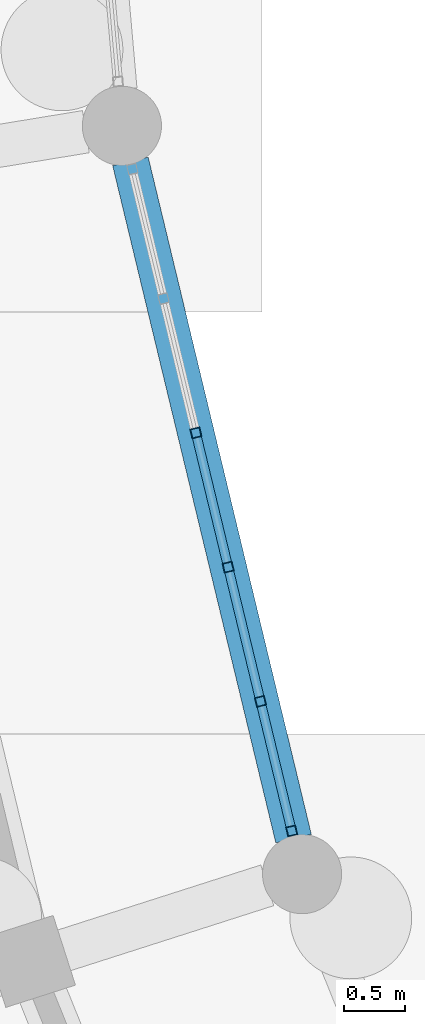
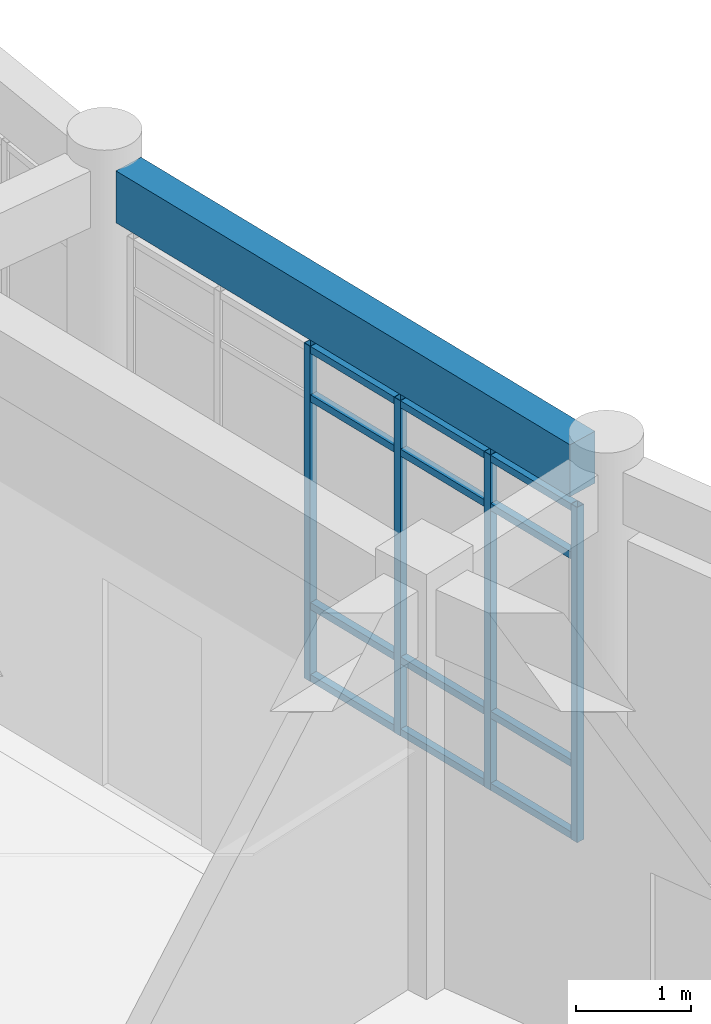
# One storey, part 31 of 153: 16 members, 1 beam, 1 element without a shape of its own.
"""IFC4 building model written with IfcOpenShell, lengths in metres."""

import ifcopenshell
import ifcopenshell.guid

model = None  # the IFC model being written
_history = None  # IfcOwnerHistory: only IFC2X3 demands one
_inside = {}  # id of a spatial element -> (the spatial element, [elements in it])
_under = {}  # id of a project, library or spatial element -> (it, [spatial elements below it])
_declared = {}  # id of a project -> (the project, [libraries it declares])
_typed = {}  # id of a type object -> (the type object, [elements of that type])
_made_of = {}  # id of a material, layer set ... -> (it, [elements and type objects made of it])


def new_model(schema):
    """Start an empty IFC model of exactly this schema.

    Asked for "IFC4X3", IfcOpenShell would pick the latest addendum, in which some entities
    have other attributes; the version numbers below select the first issue.
    IFC2X3 requires an IfcOwnerHistory on every rooted entity: one is made here for all.
    """
    global model, _history
    if schema == "IFC4X3":
        model = ifcopenshell.file(schema_version=(4, 3, 0, 0))
    else:
        model = ifcopenshell.file(schema=schema)
    _inside.clear()
    _under.clear()
    _declared.clear()
    _typed.clear()
    _made_of.clear()
    _history = None
    if model.schema == "IFC2X3":
        org = make("IfcOrganization", Name="unknown")
        user = make(
            "IfcPersonAndOrganization",
            ThePerson=make("IfcPerson", FamilyName="unknown"),
            TheOrganization=org,
        )
        app = make(
            "IfcApplication",
            ApplicationDeveloper=org,
            Version="unknown",
            ApplicationFullName="unknown",
            ApplicationIdentifier="unknown",
        )
        _history = make(
            "IfcOwnerHistory",
            OwningUser=user,
            OwningApplication=app,
            ChangeAction="ADDED",
            CreationDate=0,
        )
    return model


def make(cls, **values):
    """One entity of the class cls with the attributes given. An attribute that is None is left unset."""
    return model.create_entity(
        cls, **{name: value for name, value in values.items() if value is not None}
    )


def rooted(cls, **values):
    """An entity with a GlobalId (a new one), such as an element, a storey or a relation."""
    return make(cls, GlobalId=ifcopenshell.guid.new(), OwnerHistory=_history, **values)


def si_unit(unit_type, name, prefix=None):
    """IfcSIUnit, for example si_unit("LENGTHUNIT", "METRE", prefix="MILLI")."""
    return make("IfcSIUnit", UnitType=unit_type, Prefix=prefix, Name=name)


def assignment(units):
    """IfcUnitAssignment: the units of a project."""
    return None if units is None else make("IfcUnitAssignment", Units=units)


def point(xyz):
    """IfcCartesianPoint."""
    return None if xyz is None else make("IfcCartesianPoint", Coordinates=xyz)


def direction(xyz):
    """IfcDirection."""
    return None if xyz is None else make("IfcDirection", DirectionRatios=xyz)


def frame(location, z_axis=None, x_axis=None):
    """IfcAxis2Placement3D, a coordinate frame: its origin and axes. An axis left out is left unset."""
    return make(
        "IfcAxis2Placement3D",
        Location=point(location),
        Axis=direction(z_axis),
        RefDirection=direction(x_axis),
    )


def frame_2d(location, x_axis=None):
    """IfcAxis2Placement2D, a coordinate frame in the plane: its origin and x axis."""
    return make(
        "IfcAxis2Placement2D", Location=point(location), RefDirection=direction(x_axis)
    )


def origin():
    """The frame at (0, 0, 0) with its axes left unset."""
    return frame((0.0, 0.0, 0.0))


def origin_2d():
    """The frame at (0, 0) in the plane with its x axis left unset."""
    return frame_2d((0.0, 0.0))


def place(relative_to, where):
    """IfcLocalPlacement: puts the frame where relative to a parent placement (None: the world)."""
    return make(
        "IfcLocalPlacement", PlacementRelTo=relative_to, RelativePlacement=where
    )


def context(
    kind, dimensions, precision=None, world=None, true_north=None, identifier=None
):
    """IfcGeometricRepresentationContext, for example the 3D "Model" context."""
    return make(
        "IfcGeometricRepresentationContext",
        ContextIdentifier=identifier,
        ContextType=kind,
        CoordinateSpaceDimension=dimensions,
        Precision=precision,
        WorldCoordinateSystem=world,
        TrueNorth=true_north,
    )


def subcontext(parent, identifier, kind, view, scale=None):
    """IfcGeometricRepresentationSubContext, for example "Body" below "Model"."""
    return make(
        "IfcGeometricRepresentationSubContext",
        ContextIdentifier=identifier,
        ContextType=kind,
        ParentContext=parent,
        TargetScale=scale,
        TargetView=view,
    )


def project(units=None, contexts=None):
    """IfcProject with its units and contexts."""
    return rooted(
        "IfcProject",
        Name="project",
        RepresentationContexts=contexts,
        UnitsInContext=assignment(units),
    )


def spatial(cls, under=None, at=None, **own):
    """A site, building, storey or space (cls), placed at a placement, below another one or the project."""
    s = rooted(cls, ObjectPlacement=at, **own)
    if under is not None:
        _under.setdefault(under.id(), (under, []))[1].append(s)
    return s


def profile(cls, at=None, kind="AREA", **sizes):
    """A parametric profile (cls). Its sizes go by their IFC names, for example OverallWidth=200.0."""
    return make(cls, ProfileType=kind, Position=at, **sizes)


def rectangle(**sizes):
    """IfcRectangleProfileDef."""
    return profile("IfcRectangleProfileDef", **sizes)


def hollow_rectangle(**sizes):
    """IfcRectangleHollowProfileDef."""
    return profile("IfcRectangleHollowProfileDef", **sizes)


def extrude(swept, where, along, depth):
    """IfcExtrudedAreaSolid: the profile swept, set in the frame where, extruded along a direction by depth."""
    return make(
        "IfcExtrudedAreaSolid",
        SweptArea=swept,
        Position=where,
        ExtrudedDirection=direction(along),
        Depth=depth,
    )


def shape(context_of_items, identifier, shape_type, items):
    """IfcShapeRepresentation: the items that make up one representation, for example the "Body"."""
    return make(
        "IfcShapeRepresentation",
        ContextOfItems=context_of_items,
        RepresentationIdentifier=identifier,
        RepresentationType=shape_type,
        Items=items,
    )


def material(Name=None, Category=None):
    """IfcMaterial."""
    return make("IfcMaterial", Name=Name, Category=Category)


def material_profile(
    of_material, cross_section, Name=None, Category=None, Priority=None
):
    """IfcMaterialProfile: a cross section and its material."""
    return make(
        "IfcMaterialProfile",
        Name=Name,
        Material=of_material,
        Profile=cross_section,
        Priority=Priority,
        Category=Category,
    )


def profile_set(profiles, Name=None, composite=None):
    """IfcMaterialProfileSet."""
    return make(
        "IfcMaterialProfileSet",
        Name=Name,
        MaterialProfiles=profiles,
        CompositeProfile=composite,
    )


def made_of(thing, what):
    """Note that an element or type object is made of a material, layer set ...; save() writes the relation."""
    if what is not None:
        _made_of.setdefault(what.id(), (what, []))[1].append(thing)
    return thing


def type_object(cls, material=None, **own):
    """A type object (cls), such as IfcWallType, which elements share."""
    return made_of(rooted(cls, **own), material)


def element(
    cls,
    number,
    at=None,
    inside=None,
    cuts=None,
    type_object=None,
    material=None,
    context=None,
    identifier="Body",
    shape_type=None,
    held_by="IfcProductDefinitionShape",
    body=None,
    shapes=None,
    **own,
):
    """One element of the class cls, such as IfcWall. Its Tag is "e" and its number.

    at: its placement. inside: the storey or other place that contains it. cuts: it is an
    opening in that element (IfcRelVoidsElement). A single representation is given by context,
    identifier, shape_type and body (its items); several are given by shapes. held_by: the class
    of the entity that holds the representations. save() writes the other relations.
    """
    e = rooted(cls, Tag="e%d" % number, ObjectPlacement=at, **own)
    if body is not None:
        shapes = [shape(context, identifier, shape_type, body)]
    if shapes is not None:
        e.Representation = make(held_by, Representations=shapes)
    if inside is not None:
        _inside.setdefault(inside.id(), (inside, []))[1].append(e)
    if cuts is not None:
        rooted(
            "IfcRelVoidsElement", RelatingBuildingElement=cuts, RelatedOpeningElement=e
        )
    if type_object is not None:
        _typed.setdefault(type_object.id(), (type_object, []))[1].append(e)
    return made_of(e, material)


def aggregate(whole, parts):
    """IfcRelAggregates: a whole, such as a stair, and the parts it consists of."""
    return rooted("IfcRelAggregates", RelatingObject=whole, RelatedObjects=parts)


def save(model, path):
    """Write the relations noted so far, then the file.

    IfcRelAggregates (storeys below a building ...), IfcRelContainedInSpatialStructure (elements
    in a storey), IfcRelDefinesByType, IfcRelAssociatesMaterial and IfcRelDeclares: one each for
    every whole, place, type object, material and project.
    """
    for whole, parts in _under.values():
        aggregate(whole, parts)
    for where, things in _inside.values():
        rooted(
            "IfcRelContainedInSpatialStructure",
            RelatedElements=things,
            RelatingStructure=where,
        )
    for kind, things in _typed.values():
        rooted("IfcRelDefinesByType", RelatedObjects=things, RelatingType=kind)
    for what, things in _made_of.values():
        rooted("IfcRelAssociatesMaterial", RelatedObjects=things, RelatingMaterial=what)
    for by, libraries in _declared.values():
        rooted("IfcRelDeclares", RelatingContext=by, RelatedDefinitions=libraries)
    model.write(path)


model = new_model("IFC4")

# Units and contexts
model_context = context("Model", 3, precision=1e-05, world=origin(), true_north=direction((0.0, 1.0)))
body_context = subcontext(model_context, "Body", "Model", "MODEL_VIEW")
ifc_project = project(units=[si_unit("LENGTHUNIT", "METRE"), si_unit("AREAUNIT", "SQUARE_METRE"), si_unit("VOLUMEUNIT", "CUBIC_METRE"), si_unit("PLANEANGLEUNIT", "RADIAN"), si_unit("MASSUNIT", "GRAM", prefix="KILO")], contexts=[model_context])

# Site, building, storey
site_placement = place(None, origin())
site = spatial("IfcSite", under=ifc_project, at=site_placement, CompositionType="ELEMENT")
building_placement = place(site_placement, origin())
building = spatial("IfcBuilding", under=site, at=building_placement, Name="Celadon Cloister-Ring School", CompositionType="ELEMENT")
storey_placement = place(building_placement, origin())
storey = spatial("IfcBuildingStorey", under=building, at=storey_placement, Name="L00", CompositionType="ELEMENT", Elevation=0.0)

# Curtain wall, members
ifc_material_1 = material(Name="Aluminium EN AW-6063 T6", Category="aluminium")
curtain_wall_type = type_object("IfcCurtainWallType", Name="CW-01", PredefinedType="USERDEFINED", material=ifc_material_1)
curtain_wall_placement = place(storey_placement, origin())
curtain_wall = element("IfcCurtainWall", 1, at=curtain_wall_placement, inside=storey, type_object=curtain_wall_type, Name="Curtain Wall 0005", ObjectType="CURTAIN WALL", PredefinedType="USERDEFINED")
ifc_material_2 = material(Name="Aluminium EN AW-6063 T6", Category="aluminium")
ifc_material_profile_1 = material_profile(ifc_material_2, hollow_rectangle(XDim=0.080078125, YDim=0.080078125, WallThickness=0.00390625, at=origin_2d()), Name="RHS80X80X4")
ifc_profile_set_1 = profile_set([ifc_material_profile_1], Name="Aluminium EN AW-6063 T6")
member_type_1 = type_object("IfcMemberType", Name="CM-03", PredefinedType="MULLION", material=ifc_profile_set_1)
member_1_placement = place(storey_placement, frame((45.515869140625, 49.595703125, 0.0), z_axis=(0.0, 0.0, 1.0), x_axis=(0.972212485146, 0.234100157469, 0.0)))
member_1 = element("IfcMember", 2, at=member_1_placement, type_object=member_type_1, Name="CW-01 mullion 3", PredefinedType="MULLION", context=body_context, shape_type="SweptSolid", body=[
    extrude(hollow_rectangle(XDim=0.080078125, YDim=0.080078125, WallThickness=0.00390625, at=origin_2d()), origin(), (0.0, 0.0, 1.0), 3.550048828125),
])
member_2_placement = place(storey_placement, frame((45.78125, 48.493408203125, 0.0), z_axis=(0.0, 0.0, 1.0), x_axis=(0.972212485146, 0.234100157469, 0.0)))
member_2 = element("IfcMember", 3, at=member_2_placement, type_object=member_type_1, Name="CW-01 mullion 4", PredefinedType="MULLION", context=body_context, shape_type="SweptSolid", body=[
    extrude(hollow_rectangle(XDim=0.080078125, YDim=0.080078125, WallThickness=0.00390625, at=origin_2d()), origin(), (0.0, 0.0, 1.0), 3.550048828125),
])
member_3_placement = place(storey_placement, frame((46.046630859375, 47.39111328125, 0.0), z_axis=(0.0, 0.0, 1.0), x_axis=(0.972212485146, 0.234100157469, 0.0)))
member_3 = element("IfcMember", 4, at=member_3_placement, type_object=member_type_1, Name="CW-01 mullion 5", PredefinedType="MULLION", context=body_context, shape_type="SweptSolid", body=[
    extrude(hollow_rectangle(XDim=0.080078125, YDim=0.080078125, WallThickness=0.00390625, at=origin_2d()), origin(), (0.0, 0.0, 1.0), 3.550048828125),
])
member_4_placement = place(storey_placement, frame((46.302734375, 46.327880859375, 0.0), z_axis=(0.0, 0.0, 1.0), x_axis=(0.972212485146, 0.234100157469, 0.0)))
member_4 = element("IfcMember", 5, at=member_4_placement, type_object=member_type_1, Name="CW-01 mullion 6", PredefinedType="MULLION", context=body_context, shape_type="SweptSolid", body=[
    extrude(hollow_rectangle(XDim=0.080078125, YDim=0.080078125, WallThickness=0.00390625, at=origin_2d()), origin(), (0.0, 0.0, 1.0), 3.550048828125),
])
ifc_material_3 = material(Name="Aluminium EN AW-6063 T6", Category="aluminium")
ifc_material_profile_2 = material_profile(ifc_material_3, hollow_rectangle(XDim=0.074951171875, YDim=0.074951171875, WallThickness=0.00390625, at=origin_2d()), Name="RHS75X75X4")
ifc_profile_set_2 = profile_set([ifc_material_profile_2], Name="Aluminium EN AW-6063 T6")
member_type_2 = type_object("IfcMemberType", Name="CTM-03", PredefinedType="USERDEFINED", material=ifc_profile_set_2)
member_5_placement = place(storey_placement, frame((45.525146484375, 49.556640625, 0.03759765625), z_axis=(0.234021392325, -0.972231447719, 0.0), x_axis=(0.972231447719, 0.234021392325, 0.0)))
member_5 = element("IfcMember", 6, at=member_5_placement, type_object=member_type_2, Name="CW-01 transom 3.1", ObjectType="TRANSOM", PredefinedType="USERDEFINED", context=body_context, shape_type="SweptSolid", body=[
    extrude(hollow_rectangle(XDim=0.074951171875, YDim=0.074951171875, WallThickness=0.00390625, at=origin_2d()), origin(), (0.0, 0.0, 1.0), 1.0537109375),
])
member_6_placement = place(storey_placement, frame((45.525146484375, 49.556640625, 0.800048828125), z_axis=(0.234021392325, -0.972231447719, 0.0), x_axis=(0.972231447719, 0.234021392325, 0.0)))
member_6 = element("IfcMember", 7, at=member_6_placement, type_object=member_type_2, Name="CW-01 transom 3.2", ObjectType="TRANSOM", PredefinedType="USERDEFINED", context=body_context, shape_type="SweptSolid", body=[
    extrude(hollow_rectangle(XDim=0.074951171875, YDim=0.074951171875, WallThickness=0.00390625, at=origin_2d()), origin(), (0.0, 0.0, 1.0), 1.0537109375),
])
member_7_placement = place(storey_placement, frame((45.525146484375, 49.556640625, 3.0), z_axis=(0.234021392325, -0.972231447719, 0.0), x_axis=(0.972231447719, 0.234021392325, 0.0)))
member_7 = element("IfcMember", 8, at=member_7_placement, type_object=member_type_2, Name="CW-01 transom 3.3", ObjectType="TRANSOM", PredefinedType="USERDEFINED", context=body_context, shape_type="SweptSolid", body=[
    extrude(hollow_rectangle(XDim=0.074951171875, YDim=0.074951171875, WallThickness=0.00390625, at=origin_2d()), origin(), (0.0, 0.0, 1.0), 1.0537109375),
])
member_8_placement = place(storey_placement, frame((45.525146484375, 49.556640625, 3.512451171875), z_axis=(0.234021392325, -0.972231447719, 0.0), x_axis=(0.972231447719, 0.234021392325, 0.0)))
member_8 = element("IfcMember", 9, at=member_8_placement, type_object=member_type_2, Name="CW-01 transom 3.4", ObjectType="TRANSOM", PredefinedType="USERDEFINED", context=body_context, shape_type="SweptSolid", body=[
    extrude(hollow_rectangle(XDim=0.074951171875, YDim=0.074951171875, WallThickness=0.00390625, at=origin_2d()), origin(), (0.0, 0.0, 1.0), 1.0537109375),
])
member_9_placement = place(storey_placement, frame((45.79052734375, 48.45458984375, 0.03759765625), z_axis=(0.234240389333, -0.972178707854, 0.0), x_axis=(0.972178707854, 0.234240389333, 0.0)))
member_9 = element("IfcMember", 10, at=member_9_placement, type_object=member_type_2, Name="CW-01 transom 4.1", ObjectType="TRANSOM", PredefinedType="USERDEFINED", context=body_context, shape_type="SweptSolid", body=[
    extrude(hollow_rectangle(XDim=0.074951171875, YDim=0.074951171875, WallThickness=0.00390625, at=origin_2d()), origin(), (0.0, 0.0, 1.0), 1.0537109375),
])
member_10_placement = place(storey_placement, frame((45.79052734375, 48.45458984375, 0.800048828125), z_axis=(0.234240389333, -0.972178707854, 0.0), x_axis=(0.972178707854, 0.234240389333, 0.0)))
member_10 = element("IfcMember", 11, at=member_10_placement, type_object=member_type_2, Name="CW-01 transom 4.2", ObjectType="TRANSOM", PredefinedType="USERDEFINED", context=body_context, shape_type="SweptSolid", body=[
    extrude(hollow_rectangle(XDim=0.074951171875, YDim=0.074951171875, WallThickness=0.00390625, at=origin_2d()), origin(), (0.0, 0.0, 1.0), 1.0537109375),
])
member_11_placement = place(storey_placement, frame((45.79052734375, 48.45458984375, 3.0), z_axis=(0.234240389333, -0.972178707854, 0.0), x_axis=(0.972178707854, 0.234240389333, 0.0)))
member_11 = element("IfcMember", 12, at=member_11_placement, type_object=member_type_2, Name="CW-01 transom 4.3", ObjectType="TRANSOM", PredefinedType="USERDEFINED", context=body_context, shape_type="SweptSolid", body=[
    extrude(hollow_rectangle(XDim=0.074951171875, YDim=0.074951171875, WallThickness=0.00390625, at=origin_2d()), origin(), (0.0, 0.0, 1.0), 1.0537109375),
])
member_12_placement = place(storey_placement, frame((45.79052734375, 48.45458984375, 3.512451171875), z_axis=(0.234240389333, -0.972178707854, 0.0), x_axis=(0.972178707854, 0.234240389333, 0.0)))
member_12 = element("IfcMember", 13, at=member_12_placement, type_object=member_type_2, Name="CW-01 transom 4.4", ObjectType="TRANSOM", PredefinedType="USERDEFINED", context=body_context, shape_type="SweptSolid", body=[
    extrude(hollow_rectangle(XDim=0.074951171875, YDim=0.074951171875, WallThickness=0.00390625, at=origin_2d()), origin(), (0.0, 0.0, 1.0), 1.0537109375),
])
member_13_placement = place(storey_placement, frame((46.055908203125, 47.352294921875, 0.03759765625), z_axis=(0.234083346543, -0.972216532914, 0.0), x_axis=(0.972216532914, 0.234083346543, 0.0)))
member_13 = element("IfcMember", 14, at=member_13_placement, type_object=member_type_2, Name="CW-01 transom 5.1", ObjectType="TRANSOM", PredefinedType="USERDEFINED", context=body_context, shape_type="SweptSolid", body=[
    extrude(hollow_rectangle(XDim=0.074951171875, YDim=0.074951171875, WallThickness=0.00390625, at=origin_2d()), origin(), (0.0, 0.0, 1.0), 1.013671875),
])
member_14_placement = place(storey_placement, frame((46.055908203125, 47.352294921875, 0.800048828125), z_axis=(0.234083346543, -0.972216532914, 0.0), x_axis=(0.972216532914, 0.234083346543, 0.0)))
member_14 = element("IfcMember", 15, at=member_14_placement, type_object=member_type_2, Name="CW-01 transom 5.2", ObjectType="TRANSOM", PredefinedType="USERDEFINED", context=body_context, shape_type="SweptSolid", body=[
    extrude(hollow_rectangle(XDim=0.074951171875, YDim=0.074951171875, WallThickness=0.00390625, at=origin_2d()), origin(), (0.0, 0.0, 1.0), 1.013671875),
])
member_15_placement = place(storey_placement, frame((46.055908203125, 47.352294921875, 3.0), z_axis=(0.234083346543, -0.972216532914, 0.0), x_axis=(0.972216532914, 0.234083346543, 0.0)))
member_15 = element("IfcMember", 16, at=member_15_placement, type_object=member_type_2, Name="CW-01 transom 5.3", ObjectType="TRANSOM", PredefinedType="USERDEFINED", context=body_context, shape_type="SweptSolid", body=[
    extrude(hollow_rectangle(XDim=0.074951171875, YDim=0.074951171875, WallThickness=0.00390625, at=origin_2d()), origin(), (0.0, 0.0, 1.0), 1.013671875),
])
member_16_placement = place(storey_placement, frame((46.055908203125, 47.352294921875, 3.512451171875), z_axis=(0.234083346543, -0.972216532914, 0.0), x_axis=(0.972216532914, 0.234083346543, 0.0)))
member_16 = element("IfcMember", 17, at=member_16_placement, type_object=member_type_2, Name="CW-01 transom 5.4", ObjectType="TRANSOM", PredefinedType="USERDEFINED", context=body_context, shape_type="SweptSolid", body=[
    extrude(hollow_rectangle(XDim=0.074951171875, YDim=0.074951171875, WallThickness=0.00390625, at=origin_2d()), origin(), (0.0, 0.0, 1.0), 1.013671875),
])
aggregate(curtain_wall, [member_1, member_2, member_3, member_4, member_5, member_6, member_7, member_8, member_9, member_10, member_11, member_12, member_13, member_14, member_15, member_16])

# Beam
ifc_material_4 = material(Name="Concrete C35/45", Category="concrete")
ifc_material_profile_3 = material_profile(ifc_material_4, rectangle(XDim=0.300048828125, YDim=0.550048828125, at=origin_2d()), Name="RC300X550")
ifc_profile_set_3 = profile_set([ifc_material_profile_3], Name="Concrete C35/45")
beam_type = type_object("IfcBeamType", Name="SP-02", PredefinedType="SPANDREL", material=ifc_profile_set_3)
beam_placement = place(storey_placement, frame((44.97900390625, 51.823974609375, 4.0048828125), z_axis=(0.234188360334, -0.972191242444, 0.0), x_axis=(0.972191242444, 0.234188360334, 0.0)))
element("IfcBeam", 18, at=beam_placement, inside=storey, type_object=beam_type, Name="Beam 0101", PredefinedType="SPANDREL", context=body_context, shape_type="SweptSolid", body=[
    extrude(rectangle(XDim=0.300048828125, YDim=0.550048828125, at=origin_2d()), origin(), (0.0, 0.0, 1.0), 5.718017578125),
])

save(model, "model.ifc")
